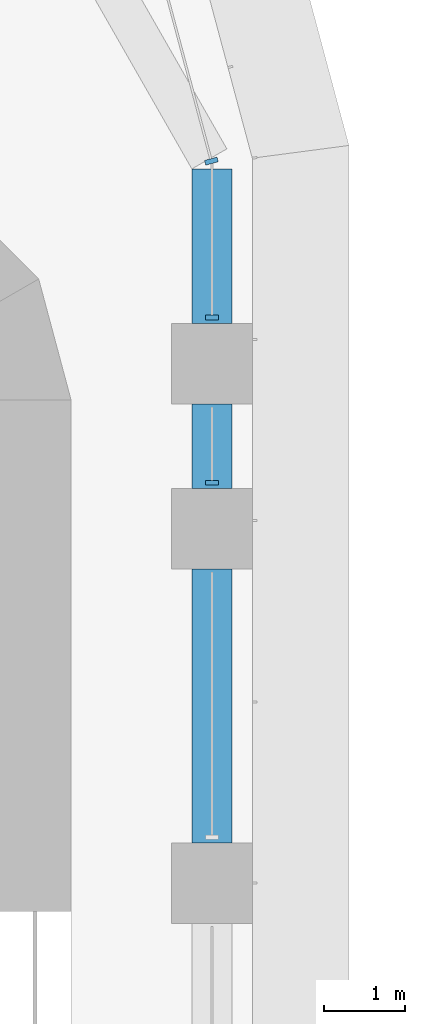
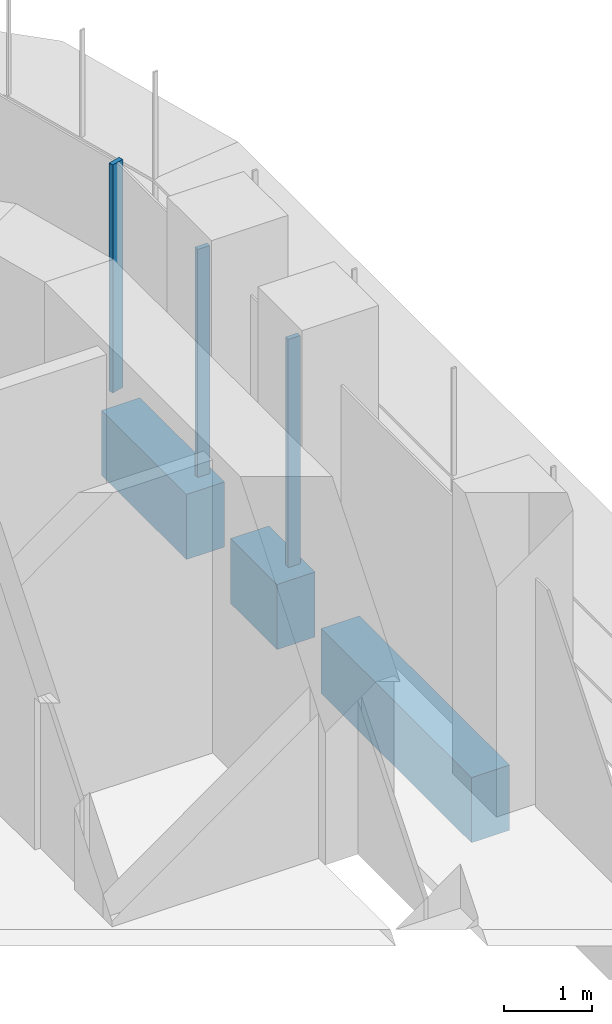
# One storey, part 10 of 23: 3 beams, 3 members, 2 elements without a shape of their own.
"""IFC4 building model written with IfcOpenShell, lengths in metres."""

from ifc_helpers import new_model, si_unit, direction, frame, origin, origin_2d, place, context, subcontext, project, spatial, polyline, rectangle, outline, extrude, source, transform, mapped, material, material_profile, profile_set, type_object, element, aggregate, save


model = new_model("IFC4")

# Units and contexts
model_context = context("Model", 3, precision=1e-05, world=origin(), true_north=direction((0.0, 1.0)))
body_context = subcontext(model_context, "Body", "Model", "MODEL_VIEW")
ifc_project = project(units=[si_unit("LENGTHUNIT", "METRE"), si_unit("AREAUNIT", "SQUARE_METRE"), si_unit("VOLUMEUNIT", "CUBIC_METRE"), si_unit("PLANEANGLEUNIT", "RADIAN"), si_unit("MASSUNIT", "GRAM", prefix="KILO")], contexts=[model_context])

# Site, building, storey
site_placement = place(None, origin())
site = spatial("IfcSite", under=ifc_project, at=site_placement, CompositionType="ELEMENT")
building_placement = place(site_placement, origin())
building = spatial("IfcBuilding", under=site, at=building_placement, Name="Zarbagh Exchange Tower", CompositionType="ELEMENT")
storey_placement = place(building_placement, frame((0.0, 0.0, 60.60009765625)))
storey = spatial("IfcBuildingStorey", under=building, at=storey_placement, Name="L13", CompositionType="ELEMENT", Elevation=60.60009765625)

# Beams
ifc_material_1 = material(Name="Concrete C60/75", Category="concrete")
ifc_material_profile = material_profile(ifc_material_1, rectangle(XDim=0.5, YDim=0.89990234375, at=origin_2d()), Name="RC spandrel beam 500 x 900 C60/75")
ifc_profile_set = profile_set([ifc_material_profile], Name="Concrete C60/75")
beam_type = type_object("IfcBeamType", Name="RC spandrel beam 500 x 900 C60/75", PredefinedType="SPANDREL", material=ifc_profile_set)
beam_1_placement = place(storey_placement, frame((6.25, 29.117919921875, -0.60009765625), z_axis=(0.0, -1.0, 0.0), x_axis=(1.0, 0.0, 0.0)))
element("IfcBeam", 1, at=beam_1_placement, inside=storey, type_object=beam_type, Name="RC spandrel beam", PredefinedType="SPANDREL", context=body_context, shape_type="SweptSolid", body=[
    extrude(rectangle(XDim=0.5, YDim=0.89990234375, at=origin_2d()), origin(), (0.0, 0.0, 1.0), 1.91796875),
])
beam_2_placement = place(storey_placement, frame((6.25, 26.199951171875, -0.60009765625), z_axis=(0.0, -1.0, 0.0), x_axis=(1.0, 0.0, 0.0)))
element("IfcBeam", 2, at=beam_2_placement, inside=storey, type_object=beam_type, Name="RC spandrel beam", PredefinedType="SPANDREL", context=body_context, shape_type="SweptSolid", body=[
    extrude(rectangle(XDim=0.5, YDim=0.89990234375, at=origin_2d()), origin(), (0.0, 0.0, 1.0), 1.050048828125),
])
beam_3_placement = place(storey_placement, frame((6.25, 24.14990234375, -0.60009765625), z_axis=(0.0, -1.0, 0.0), x_axis=(1.0, 0.0, 0.0)))
element("IfcBeam", 3, at=beam_3_placement, inside=storey, type_object=beam_type, Name="RC spandrel beam", PredefinedType="SPANDREL", context=body_context, shape_type="SweptSolid", body=[
    extrude(rectangle(XDim=0.5, YDim=0.89990234375, at=origin_2d()), origin(), (0.0, 0.0, 1.0), 3.39990234375),
])

# Curtain wall, members
ifc_material_2 = material(Name="Anodised aluminium frame and glazing", Category="aluminium")
curtain_wall_type = type_object("IfcCurtainWallType", Name="CWA Ribbon glazing, lower zones", PredefinedType="NOTDEFINED", material=ifc_material_2)
curtain_wall_1_placement = place(storey_placement, origin())
curtain_wall_1 = element("IfcCurtainWall", 4, at=curtain_wall_1_placement, inside=storey, type_object=curtain_wall_type, Name="CWA20 curtain wall", PredefinedType="NOTDEFINED")
ifc_material_3 = material(Name="Anodised aluminium frame", Category="aluminium")
member_type = type_object("IfcMemberType", Name="MUA Mullion, anodised aluminium frame", PredefinedType="MULLION", material=ifc_material_3)
shared_shape = source(origin(), body_context, "Body", "SweptSolid", [
    extrude(outline(polyline([(0.0, -0.080078125), (0.06005859375, -0.080078125), (0.06005859375, 0.080078125), (0.0, 0.080078125), (0.0, -0.080078125)])), origin(), (0.0, 0.0, 1.0), 3.14990234375),
])
placement = place(storey_placement, origin())
member_1 = element("IfcMember", 5, at=placement, type_object=member_type, Name="CWA20 mullion 4.1", PredefinedType="MULLION", context=body_context, shape_type="MappedRepresentation", body=[
    mapped(shared_shape, transform((6.25, 25.18994140625, 0.0), x_axis=(0.0, 1.0, 0.0), y_axis=(-1.0, 0.0, 0.0), z_axis=(0.0, 0.0, 1.0))),
])
member_2 = element("IfcMember", 6, at=placement, type_object=member_type, Name="CWA20 mullion 5.1", PredefinedType="MULLION", context=body_context, shape_type="MappedRepresentation", body=[
    mapped(shared_shape, transform((6.25, 27.239990234375, 0.0), x_axis=(0.0, 1.0, 0.0), y_axis=(-1.0, 0.0, 0.0), z_axis=(0.0, 0.0, 1.0))),
])
aggregate(curtain_wall_1, [member_1, member_2])

# Curtain wall, member
curtain_wall_2_placement = place(storey_placement, origin())
curtain_wall_2 = element("IfcCurtainWall", 7, at=curtain_wall_2_placement, inside=storey, type_object=curtain_wall_type, Name="CWA21 curtain wall", PredefinedType="NOTDEFINED")
member_3 = element("IfcMember", 8, at=placement, type_object=member_type, Name="CWA21 mullion 1.1", PredefinedType="MULLION", context=body_context, shape_type="MappedRepresentation", body=[
    mapped(shared_shape, transform((6.25, 29.18408203125, 0.0), x_axis=(-0.258824779902, 0.965924289636, 0.0), y_axis=(-0.965924289636, -0.258824779902, 0.0), z_axis=(0.0, 0.0, 1.0))),
])
aggregate(curtain_wall_2, [member_3])

save(model, "model.ifc")
